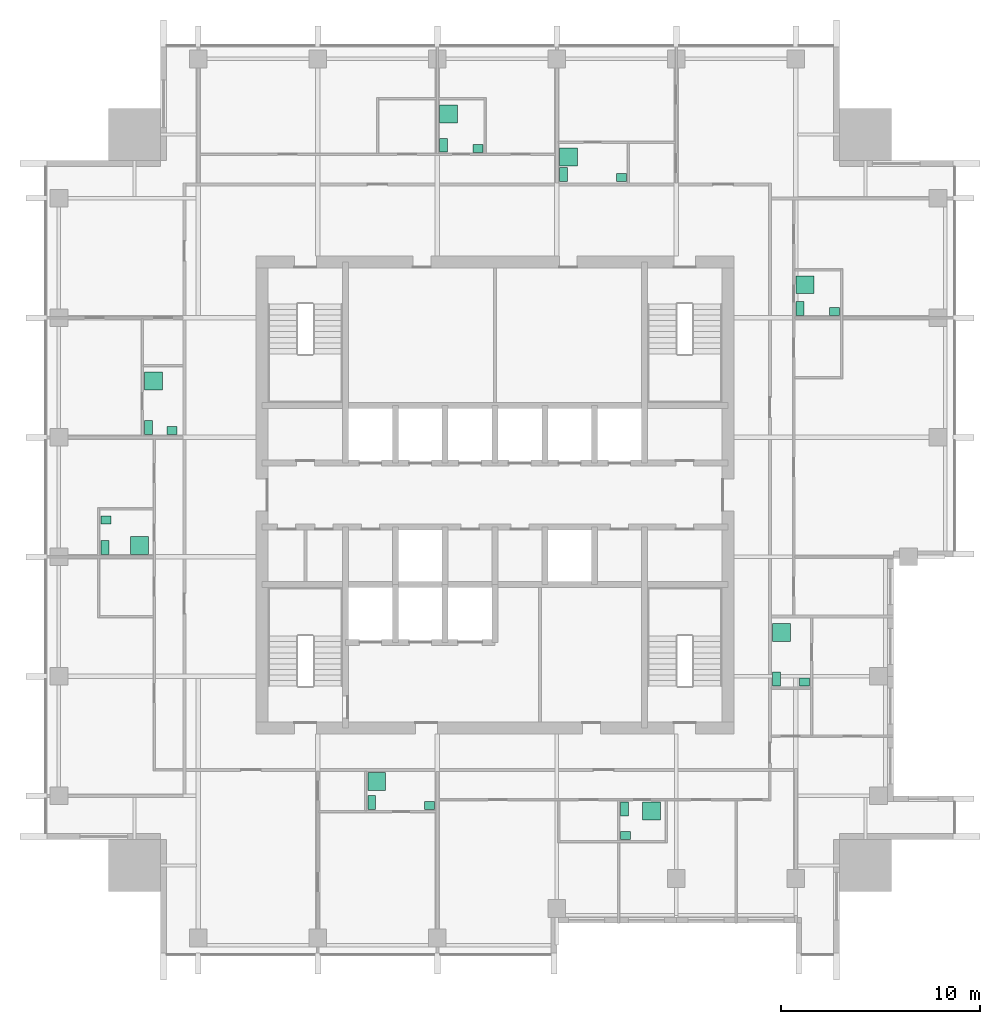
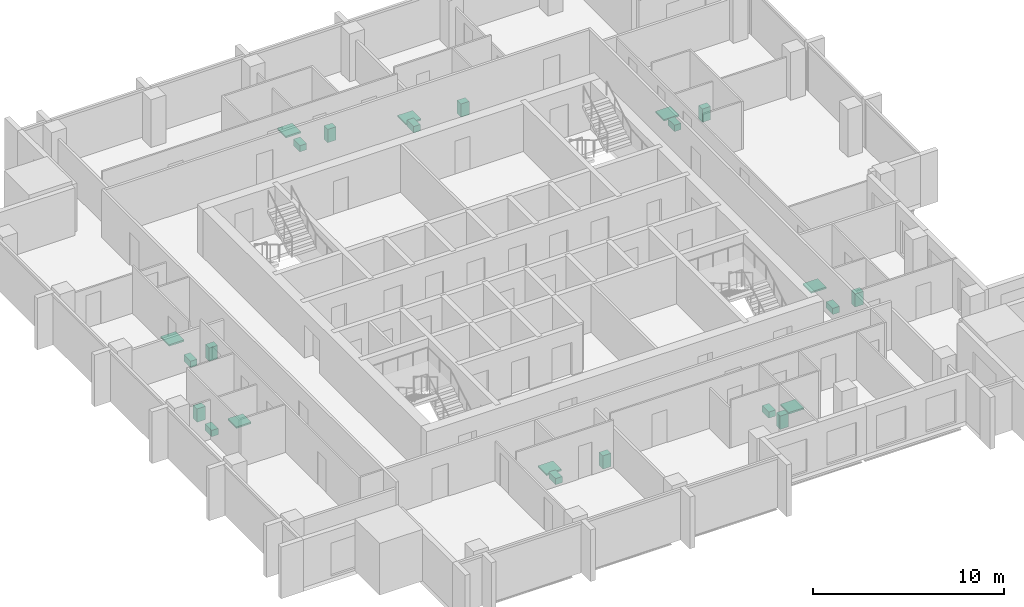
# One storey, part 9 of 9: 24 sanitary terminals.
"""IFC4 building model written with IfcOpenShell, lengths in metres."""

import ifcopenshell
import ifcopenshell.guid

model = None  # the IFC model being written
_history = None  # IfcOwnerHistory: only IFC2X3 demands one
_inside = {}  # id of a spatial element -> (the spatial element, [elements in it])
_under = {}  # id of a project, library or spatial element -> (it, [spatial elements below it])
_declared = {}  # id of a project -> (the project, [libraries it declares])
_typed = {}  # id of a type object -> (the type object, [elements of that type])
_made_of = {}  # id of a material, layer set ... -> (it, [elements and type objects made of it])


def new_model(schema):
    """Start an empty IFC model of exactly this schema.

    Asked for "IFC4X3", IfcOpenShell would pick the latest addendum, in which some entities
    have other attributes; the version numbers below select the first issue.
    IFC2X3 requires an IfcOwnerHistory on every rooted entity: one is made here for all.
    """
    global model, _history
    if schema == "IFC4X3":
        model = ifcopenshell.file(schema_version=(4, 3, 0, 0))
    else:
        model = ifcopenshell.file(schema=schema)
    _inside.clear()
    _under.clear()
    _declared.clear()
    _typed.clear()
    _made_of.clear()
    _history = None
    if model.schema == "IFC2X3":
        org = make("IfcOrganization", Name="unknown")
        user = make(
            "IfcPersonAndOrganization",
            ThePerson=make("IfcPerson", FamilyName="unknown"),
            TheOrganization=org,
        )
        app = make(
            "IfcApplication",
            ApplicationDeveloper=org,
            Version="unknown",
            ApplicationFullName="unknown",
            ApplicationIdentifier="unknown",
        )
        _history = make(
            "IfcOwnerHistory",
            OwningUser=user,
            OwningApplication=app,
            ChangeAction="ADDED",
            CreationDate=0,
        )
    return model


def make(cls, **values):
    """One entity of the class cls with the attributes given. An attribute that is None is left unset."""
    return model.create_entity(
        cls, **{name: value for name, value in values.items() if value is not None}
    )


def rooted(cls, **values):
    """An entity with a GlobalId (a new one), such as an element, a storey or a relation."""
    return make(cls, GlobalId=ifcopenshell.guid.new(), OwnerHistory=_history, **values)


def si_unit(unit_type, name, prefix=None):
    """IfcSIUnit, for example si_unit("LENGTHUNIT", "METRE", prefix="MILLI")."""
    return make("IfcSIUnit", UnitType=unit_type, Prefix=prefix, Name=name)


def assignment(units):
    """IfcUnitAssignment: the units of a project."""
    return None if units is None else make("IfcUnitAssignment", Units=units)


def point(xyz):
    """IfcCartesianPoint."""
    return None if xyz is None else make("IfcCartesianPoint", Coordinates=xyz)


def direction(xyz):
    """IfcDirection."""
    return None if xyz is None else make("IfcDirection", DirectionRatios=xyz)


def frame(location, z_axis=None, x_axis=None):
    """IfcAxis2Placement3D, a coordinate frame: its origin and axes. An axis left out is left unset."""
    return make(
        "IfcAxis2Placement3D",
        Location=point(location),
        Axis=direction(z_axis),
        RefDirection=direction(x_axis),
    )


def frame_2d(location, x_axis=None):
    """IfcAxis2Placement2D, a coordinate frame in the plane: its origin and x axis."""
    return make(
        "IfcAxis2Placement2D", Location=point(location), RefDirection=direction(x_axis)
    )


def origin():
    """The frame at (0, 0, 0) with its axes left unset."""
    return frame((0.0, 0.0, 0.0))


def origin_2d():
    """The frame at (0, 0) in the plane with its x axis left unset."""
    return frame_2d((0.0, 0.0))


def place(relative_to, where):
    """IfcLocalPlacement: puts the frame where relative to a parent placement (None: the world)."""
    return make(
        "IfcLocalPlacement", PlacementRelTo=relative_to, RelativePlacement=where
    )


def context(
    kind, dimensions, precision=None, world=None, true_north=None, identifier=None
):
    """IfcGeometricRepresentationContext, for example the 3D "Model" context."""
    return make(
        "IfcGeometricRepresentationContext",
        ContextIdentifier=identifier,
        ContextType=kind,
        CoordinateSpaceDimension=dimensions,
        Precision=precision,
        WorldCoordinateSystem=world,
        TrueNorth=true_north,
    )


def subcontext(parent, identifier, kind, view, scale=None):
    """IfcGeometricRepresentationSubContext, for example "Body" below "Model"."""
    return make(
        "IfcGeometricRepresentationSubContext",
        ContextIdentifier=identifier,
        ContextType=kind,
        ParentContext=parent,
        TargetScale=scale,
        TargetView=view,
    )


def project(units=None, contexts=None):
    """IfcProject with its units and contexts."""
    return rooted(
        "IfcProject",
        Name="project",
        RepresentationContexts=contexts,
        UnitsInContext=assignment(units),
    )


def spatial(cls, under=None, at=None, **own):
    """A site, building, storey or space (cls), placed at a placement, below another one or the project."""
    s = rooted(cls, ObjectPlacement=at, **own)
    if under is not None:
        _under.setdefault(under.id(), (under, []))[1].append(s)
    return s


def profile(cls, at=None, kind="AREA", **sizes):
    """A parametric profile (cls). Its sizes go by their IFC names, for example OverallWidth=200.0."""
    return make(cls, ProfileType=kind, Position=at, **sizes)


def rectangle(**sizes):
    """IfcRectangleProfileDef."""
    return profile("IfcRectangleProfileDef", **sizes)


def extrude(swept, where, along, depth):
    """IfcExtrudedAreaSolid: the profile swept, set in the frame where, extruded along a direction by depth."""
    return make(
        "IfcExtrudedAreaSolid",
        SweptArea=swept,
        Position=where,
        ExtrudedDirection=direction(along),
        Depth=depth,
    )


def shape(context_of_items, identifier, shape_type, items):
    """IfcShapeRepresentation: the items that make up one representation, for example the "Body"."""
    return make(
        "IfcShapeRepresentation",
        ContextOfItems=context_of_items,
        RepresentationIdentifier=identifier,
        RepresentationType=shape_type,
        Items=items,
    )


def made_of(thing, what):
    """Note that an element or type object is made of a material, layer set ...; save() writes the relation."""
    if what is not None:
        _made_of.setdefault(what.id(), (what, []))[1].append(thing)
    return thing


def element(
    cls,
    number,
    at=None,
    inside=None,
    cuts=None,
    type_object=None,
    material=None,
    context=None,
    identifier="Body",
    shape_type=None,
    held_by="IfcProductDefinitionShape",
    body=None,
    shapes=None,
    **own,
):
    """One element of the class cls, such as IfcWall. Its Tag is "e" and its number.

    at: its placement. inside: the storey or other place that contains it. cuts: it is an
    opening in that element (IfcRelVoidsElement). A single representation is given by context,
    identifier, shape_type and body (its items); several are given by shapes. held_by: the class
    of the entity that holds the representations. save() writes the other relations.
    """
    e = rooted(cls, Tag="e%d" % number, ObjectPlacement=at, **own)
    if body is not None:
        shapes = [shape(context, identifier, shape_type, body)]
    if shapes is not None:
        e.Representation = make(held_by, Representations=shapes)
    if inside is not None:
        _inside.setdefault(inside.id(), (inside, []))[1].append(e)
    if cuts is not None:
        rooted(
            "IfcRelVoidsElement", RelatingBuildingElement=cuts, RelatedOpeningElement=e
        )
    if type_object is not None:
        _typed.setdefault(type_object.id(), (type_object, []))[1].append(e)
    return made_of(e, material)


def aggregate(whole, parts):
    """IfcRelAggregates: a whole, such as a stair, and the parts it consists of."""
    return rooted("IfcRelAggregates", RelatingObject=whole, RelatedObjects=parts)


def save(model, path):
    """Write the relations noted so far, then the file.

    IfcRelAggregates (storeys below a building ...), IfcRelContainedInSpatialStructure (elements
    in a storey), IfcRelDefinesByType, IfcRelAssociatesMaterial and IfcRelDeclares: one each for
    every whole, place, type object, material and project.
    """
    for whole, parts in _under.values():
        aggregate(whole, parts)
    for where, things in _inside.values():
        rooted(
            "IfcRelContainedInSpatialStructure",
            RelatedElements=things,
            RelatingStructure=where,
        )
    for kind, things in _typed.values():
        rooted("IfcRelDefinesByType", RelatedObjects=things, RelatingType=kind)
    for what, things in _made_of.values():
        rooted("IfcRelAssociatesMaterial", RelatedObjects=things, RelatingMaterial=what)
    for by, libraries in _declared.values():
        rooted("IfcRelDeclares", RelatingContext=by, RelatedDefinitions=libraries)
    model.write(path)


model = new_model("IFC4")

# Units and contexts
model_context = context("Model", 3, precision=1e-05, world=origin(), true_north=direction((0.0, 1.0)))
body_context = subcontext(model_context, "Body", "Model", "MODEL_VIEW")
ifc_project = project(units=[si_unit("LENGTHUNIT", "METRE"), si_unit("AREAUNIT", "SQUARE_METRE"), si_unit("VOLUMEUNIT", "CUBIC_METRE"), si_unit("PLANEANGLEUNIT", "RADIAN"), si_unit("MASSUNIT", "GRAM", prefix="KILO")], contexts=[model_context])

# Site, building, storey
site_placement = place(None, origin())
site = spatial("IfcSite", under=ifc_project, at=site_placement, CompositionType="ELEMENT")
building_placement = place(site_placement, origin())
building = spatial("IfcBuilding", under=site, at=building_placement, Name="Amberfall Residences", CompositionType="ELEMENT")
storey_placement = place(building_placement, frame((0.0, 0.0, 210.10009765625)))
storey = spatial("IfcBuildingStorey", under=building, at=storey_placement, Name="L56", CompositionType="ELEMENT", Elevation=210.10009765625)

# Sanitary terminals
sanitary_terminal_1_placement = place(storey_placement, frame((68.31005859375, 30.06005859375, 0.0), z_axis=(0.0, 0.0, 1.0), x_axis=(1.0, 0.0, 0.0)))
element("IfcSanitaryTerminal", 1, at=sanitary_terminal_1_placement, inside=storey, Name="Water closet 5601", PredefinedType="TOILETPAN", context=body_context, shape_type="SweptSolid", body=[
    extrude(rectangle(XDim=0.39990234375, YDim=0.699951171875, at=origin_2d()), origin(), (0.0, 0.0, 1.0), 0.39990234375),
])
sanitary_terminal_2_placement = place(storey_placement, frame((71.215087890625, 29.909912109375, -0.000244140625), z_axis=(0.0, 0.0, 1.0), x_axis=(1.0, 0.0, 0.0)))
element("IfcSanitaryTerminal", 2, at=sanitary_terminal_2_placement, inside=storey, Name="Basin 5601", PredefinedType="WASHHANDBASIN", context=body_context, shape_type="SweptSolid", body=[
    extrude(rectangle(XDim=0.5, YDim=0.39990234375, at=origin_2d()), origin(), (0.0, 0.0, 1.0), 0.85009765625),
])
sanitary_terminal_3_placement = place(storey_placement, frame((68.56005859375, 31.114990234375, -0.000244140625), z_axis=(0.0, 0.0, 1.0), x_axis=(1.0, 0.0, 0.0)))
element("IfcSanitaryTerminal", 3, at=sanitary_terminal_3_placement, inside=storey, Name="Shower tray 5601", PredefinedType="SHOWER", context=body_context, shape_type="SweptSolid", body=[
    extrude(rectangle(XDim=0.89990234375, YDim=0.89990234375, at=origin_2d()), origin(), (0.0, 0.0, 1.0), 0.10009765625),
])
sanitary_terminal_4_placement = place(storey_placement, frame((81.010009765625, 29.739990234375, 0.0), z_axis=(0.0, 0.0, 1.0), x_axis=(1.0, 0.0, 0.0)))
element("IfcSanitaryTerminal", 4, at=sanitary_terminal_4_placement, inside=storey, Name="Water closet 5602", PredefinedType="TOILETPAN", context=body_context, shape_type="SweptSolid", body=[
    extrude(rectangle(XDim=0.39990234375, YDim=0.699951171875, at=origin_2d()), origin(), (0.0, 0.0, 1.0), 0.39990234375),
])
sanitary_terminal_5_placement = place(storey_placement, frame((81.06005859375, 28.409912109375, -0.000244140625), z_axis=(0.0, 0.0, 1.0), x_axis=(1.0, 0.0, 0.0)))
element("IfcSanitaryTerminal", 5, at=sanitary_terminal_5_placement, inside=storey, Name="Basin 5602", PredefinedType="WASHHANDBASIN", context=body_context, shape_type="SweptSolid", body=[
    extrude(rectangle(XDim=0.5, YDim=0.39990234375, at=origin_2d()), origin(), (0.0, 0.0, 1.0), 0.85009765625),
])
sanitary_terminal_6_placement = place(storey_placement, frame((82.357177734375, 29.639892578125, -0.000244140625), z_axis=(0.0, 0.0, 1.0), x_axis=(1.0, 0.0, 0.0)))
element("IfcSanitaryTerminal", 6, at=sanitary_terminal_6_placement, inside=storey, Name="Shower tray 5602", PredefinedType="SHOWER", context=body_context, shape_type="SweptSolid", body=[
    extrude(rectangle(XDim=0.89990234375, YDim=0.89990234375, at=origin_2d()), origin(), (0.0, 0.0, 1.0), 0.10009765625),
])
sanitary_terminal_7_placement = place(storey_placement, frame((88.635009765625, 36.260009765625, 0.0), z_axis=(0.0, 0.0, 1.0), x_axis=(1.0, 0.0, 0.0)))
element("IfcSanitaryTerminal", 7, at=sanitary_terminal_7_placement, inside=storey, Name="Water closet 5603", PredefinedType="TOILETPAN", context=body_context, shape_type="SweptSolid", body=[
    extrude(rectangle(XDim=0.39990234375, YDim=0.699951171875, at=origin_2d()), origin(), (0.0, 0.0, 1.0), 0.39990234375),
])
sanitary_terminal_8_placement = place(storey_placement, frame((90.0400390625, 36.110107421875, -0.000244140625), z_axis=(0.0, 0.0, 1.0), x_axis=(1.0, 0.0, 0.0)))
element("IfcSanitaryTerminal", 8, at=sanitary_terminal_8_placement, inside=storey, Name="Basin 5603", PredefinedType="WASHHANDBASIN", context=body_context, shape_type="SweptSolid", body=[
    extrude(rectangle(XDim=0.5, YDim=0.39990234375, at=origin_2d()), origin(), (0.0, 0.0, 1.0), 0.85009765625),
])
sanitary_terminal_9_placement = place(storey_placement, frame((88.885009765625, 38.591796875, -0.000244140625), z_axis=(0.0, 0.0, 1.0), x_axis=(1.0, 0.0, 0.0)))
element("IfcSanitaryTerminal", 9, at=sanitary_terminal_9_placement, inside=storey, Name="Shower tray 5603", PredefinedType="SHOWER", context=body_context, shape_type="SweptSolid", body=[
    extrude(rectangle(XDim=0.89990234375, YDim=0.89990234375, at=origin_2d()), origin(), (0.0, 0.0, 1.0), 0.10009765625),
])
sanitary_terminal_10_placement = place(storey_placement, frame((89.81005859375, 54.860107421875, 0.0), z_axis=(0.0, 0.0, 1.0), x_axis=(1.0, 0.0, 0.0)))
element("IfcSanitaryTerminal", 10, at=sanitary_terminal_10_placement, inside=storey, Name="Water closet 5604", PredefinedType="TOILETPAN", context=body_context, shape_type="SweptSolid", body=[
    extrude(rectangle(XDim=0.39990234375, YDim=0.699951171875, at=origin_2d()), origin(), (0.0, 0.0, 1.0), 0.39990234375),
])
sanitary_terminal_11_placement = place(storey_placement, frame((91.5400390625, 54.7099609375, -0.000244140625), z_axis=(0.0, 0.0, 1.0), x_axis=(1.0, 0.0, 0.0)))
element("IfcSanitaryTerminal", 11, at=sanitary_terminal_11_placement, inside=storey, Name="Basin 5604", PredefinedType="WASHHANDBASIN", context=body_context, shape_type="SweptSolid", body=[
    extrude(rectangle(XDim=0.5, YDim=0.39990234375, at=origin_2d()), origin(), (0.0, 0.0, 1.0), 0.85009765625),
])
sanitary_terminal_12_placement = place(storey_placement, frame((90.06005859375, 56.05712890625, -0.000244140625), z_axis=(0.0, 0.0, 1.0), x_axis=(1.0, 0.0, 0.0)))
element("IfcSanitaryTerminal", 12, at=sanitary_terminal_12_placement, inside=storey, Name="Shower tray 5604", PredefinedType="SHOWER", context=body_context, shape_type="SweptSolid", body=[
    extrude(rectangle(XDim=0.89990234375, YDim=0.89990234375, at=origin_2d()), origin(), (0.0, 0.0, 1.0), 0.10009765625),
])
sanitary_terminal_13_placement = place(storey_placement, frame((71.909912109375, 63.06005859375, 0.0), z_axis=(0.0, 0.0, 1.0), x_axis=(1.0, 0.0, 0.0)))
element("IfcSanitaryTerminal", 13, at=sanitary_terminal_13_placement, inside=storey, Name="Water closet 5605", PredefinedType="TOILETPAN", context=body_context, shape_type="SweptSolid", body=[
    extrude(rectangle(XDim=0.39990234375, YDim=0.699951171875, at=origin_2d()), origin(), (0.0, 0.0, 1.0), 0.39990234375),
])
sanitary_terminal_14_placement = place(storey_placement, frame((73.639892578125, 62.909912109375, -0.000244140625), z_axis=(0.0, 0.0, 1.0), x_axis=(1.0, 0.0, 0.0)))
element("IfcSanitaryTerminal", 14, at=sanitary_terminal_14_placement, inside=storey, Name="Basin 5605", PredefinedType="WASHHANDBASIN", context=body_context, shape_type="SweptSolid", body=[
    extrude(rectangle(XDim=0.5, YDim=0.39990234375, at=origin_2d()), origin(), (0.0, 0.0, 1.0), 0.85009765625),
])
sanitary_terminal_15_placement = place(storey_placement, frame((72.159912109375, 64.6298828125, -0.000244140625), z_axis=(0.0, 0.0, 1.0), x_axis=(1.0, 0.0, 0.0)))
element("IfcSanitaryTerminal", 15, at=sanitary_terminal_15_placement, inside=storey, Name="Shower tray 5605", PredefinedType="SHOWER", context=body_context, shape_type="SweptSolid", body=[
    extrude(rectangle(XDim=0.89990234375, YDim=0.89990234375, at=origin_2d()), origin(), (0.0, 0.0, 1.0), 0.10009765625),
])
sanitary_terminal_16_placement = place(storey_placement, frame((77.93505859375, 61.5849609375, 0.0), z_axis=(0.0, 0.0, 1.0), x_axis=(1.0, 0.0, 0.0)))
element("IfcSanitaryTerminal", 16, at=sanitary_terminal_16_placement, inside=storey, Name="Water closet 5606", PredefinedType="TOILETPAN", context=body_context, shape_type="SweptSolid", body=[
    extrude(rectangle(XDim=0.39990234375, YDim=0.699951171875, at=origin_2d()), origin(), (0.0, 0.0, 1.0), 0.39990234375),
])
sanitary_terminal_17_placement = place(storey_placement, frame((80.840087890625, 61.43505859375, -0.000244140625), z_axis=(0.0, 0.0, 1.0), x_axis=(1.0, 0.0, 0.0)))
element("IfcSanitaryTerminal", 17, at=sanitary_terminal_17_placement, inside=storey, Name="Basin 5606", PredefinedType="WASHHANDBASIN", context=body_context, shape_type="SweptSolid", body=[
    extrude(rectangle(XDim=0.5, YDim=0.39990234375, at=origin_2d()), origin(), (0.0, 0.0, 1.0), 0.85009765625),
])
sanitary_terminal_18_placement = place(storey_placement, frame((78.18505859375, 62.480712890625, -0.000244140625), z_axis=(0.0, 0.0, 1.0), x_axis=(1.0, 0.0, 0.0)))
element("IfcSanitaryTerminal", 18, at=sanitary_terminal_18_placement, inside=storey, Name="Shower tray 5606", PredefinedType="SHOWER", context=body_context, shape_type="SweptSolid", body=[
    extrude(rectangle(XDim=0.89990234375, YDim=0.89990234375, at=origin_2d()), origin(), (0.0, 0.0, 1.0), 0.10009765625),
])
sanitary_terminal_19_placement = place(storey_placement, frame((54.909912109375, 42.860107421875, 0.0), z_axis=(0.0, 0.0, 1.0), x_axis=(1.0, 0.0, 0.0)))
element("IfcSanitaryTerminal", 19, at=sanitary_terminal_19_placement, inside=storey, Name="Water closet 5607", PredefinedType="TOILETPAN", context=body_context, shape_type="SweptSolid", body=[
    extrude(rectangle(XDim=0.39990234375, YDim=0.699951171875, at=origin_2d()), origin(), (0.0, 0.0, 1.0), 0.39990234375),
])
sanitary_terminal_20_placement = place(storey_placement, frame((54.9599609375, 44.235595703125, -0.000244140625), z_axis=(0.0, 0.0, 1.0), x_axis=(1.0, 0.0, 0.0)))
element("IfcSanitaryTerminal", 20, at=sanitary_terminal_20_placement, inside=storey, Name="Basin 5607", PredefinedType="WASHHANDBASIN", context=body_context, shape_type="SweptSolid", body=[
    extrude(rectangle(XDim=0.5, YDim=0.39990234375, at=origin_2d()), origin(), (0.0, 0.0, 1.0), 0.85009765625),
])
sanitary_terminal_21_placement = place(storey_placement, frame((56.6533203125, 42.9599609375, -0.000244140625), z_axis=(0.0, 0.0, 1.0), x_axis=(1.0, 0.0, 0.0)))
element("IfcSanitaryTerminal", 21, at=sanitary_terminal_21_placement, inside=storey, Name="Shower tray 5607", PredefinedType="SHOWER", context=body_context, shape_type="SweptSolid", body=[
    extrude(rectangle(XDim=0.89990234375, YDim=0.89990234375, at=origin_2d()), origin(), (0.0, 0.0, 1.0), 0.10009765625),
])
sanitary_terminal_22_placement = place(storey_placement, frame((57.110107421875, 48.885009765625, 0.0), z_axis=(0.0, 0.0, 1.0), x_axis=(1.0, 0.0, 0.0)))
element("IfcSanitaryTerminal", 22, at=sanitary_terminal_22_placement, inside=storey, Name="Water closet 5608", PredefinedType="TOILETPAN", context=body_context, shape_type="SweptSolid", body=[
    extrude(rectangle(XDim=0.39990234375, YDim=0.699951171875, at=origin_2d()), origin(), (0.0, 0.0, 1.0), 0.39990234375),
])
sanitary_terminal_23_placement = place(storey_placement, frame((58.2890625, 48.735107421875, -0.000244140625), z_axis=(0.0, 0.0, 1.0), x_axis=(1.0, 0.0, 0.0)))
element("IfcSanitaryTerminal", 23, at=sanitary_terminal_23_placement, inside=storey, Name="Basin 5608", PredefinedType="WASHHANDBASIN", context=body_context, shape_type="SweptSolid", body=[
    extrude(rectangle(XDim=0.5, YDim=0.39990234375, at=origin_2d()), origin(), (0.0, 0.0, 1.0), 0.85009765625),
])
sanitary_terminal_24_placement = place(storey_placement, frame((57.360107421875, 51.216796875, -0.000244140625), z_axis=(0.0, 0.0, 1.0), x_axis=(1.0, 0.0, 0.0)))
element("IfcSanitaryTerminal", 24, at=sanitary_terminal_24_placement, inside=storey, Name="Shower tray 5608", PredefinedType="SHOWER", context=body_context, shape_type="SweptSolid", body=[
    extrude(rectangle(XDim=0.89990234375, YDim=0.89990234375, at=origin_2d()), origin(), (0.0, 0.0, 1.0), 0.10009765625),
])

save(model, "model.ifc")
